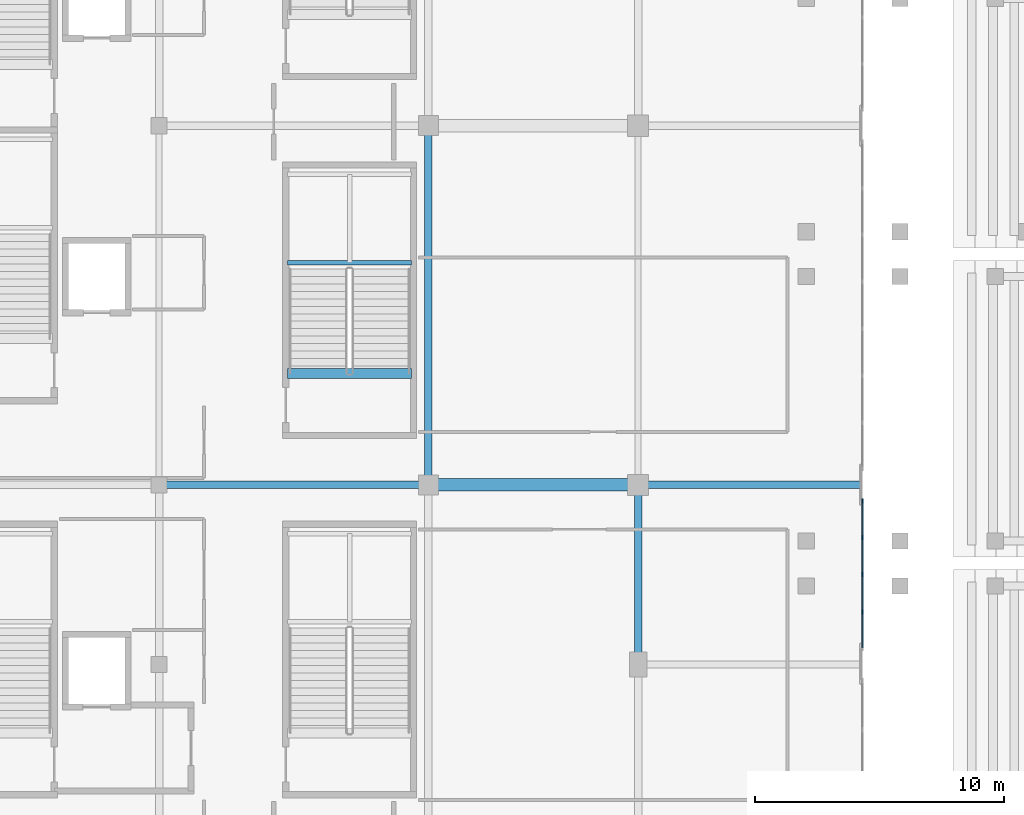
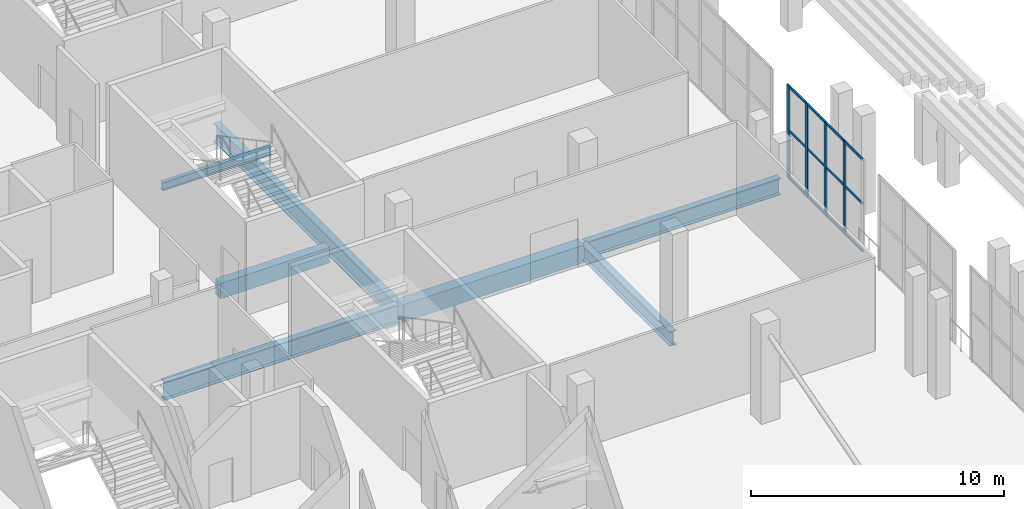
# One storey, part 23 of 142: 16 members, 7 beams, 1 element without a shape of its own.
"""IFC4 building model written with IfcOpenShell, lengths in metres."""

import ifcopenshell
import ifcopenshell.guid

model = None  # the IFC model being written
_history = None  # IfcOwnerHistory: only IFC2X3 demands one
_inside = {}  # id of a spatial element -> (the spatial element, [elements in it])
_under = {}  # id of a project, library or spatial element -> (it, [spatial elements below it])
_declared = {}  # id of a project -> (the project, [libraries it declares])
_typed = {}  # id of a type object -> (the type object, [elements of that type])
_made_of = {}  # id of a material, layer set ... -> (it, [elements and type objects made of it])


def new_model(schema):
    """Start an empty IFC model of exactly this schema.

    Asked for "IFC4X3", IfcOpenShell would pick the latest addendum, in which some entities
    have other attributes; the version numbers below select the first issue.
    IFC2X3 requires an IfcOwnerHistory on every rooted entity: one is made here for all.
    """
    global model, _history
    if schema == "IFC4X3":
        model = ifcopenshell.file(schema_version=(4, 3, 0, 0))
    else:
        model = ifcopenshell.file(schema=schema)
    _inside.clear()
    _under.clear()
    _declared.clear()
    _typed.clear()
    _made_of.clear()
    _history = None
    if model.schema == "IFC2X3":
        org = make("IfcOrganization", Name="unknown")
        user = make(
            "IfcPersonAndOrganization",
            ThePerson=make("IfcPerson", FamilyName="unknown"),
            TheOrganization=org,
        )
        app = make(
            "IfcApplication",
            ApplicationDeveloper=org,
            Version="unknown",
            ApplicationFullName="unknown",
            ApplicationIdentifier="unknown",
        )
        _history = make(
            "IfcOwnerHistory",
            OwningUser=user,
            OwningApplication=app,
            ChangeAction="ADDED",
            CreationDate=0,
        )
    return model


def make(cls, **values):
    """One entity of the class cls with the attributes given. An attribute that is None is left unset."""
    return model.create_entity(
        cls, **{name: value for name, value in values.items() if value is not None}
    )


def rooted(cls, **values):
    """An entity with a GlobalId (a new one), such as an element, a storey or a relation."""
    return make(cls, GlobalId=ifcopenshell.guid.new(), OwnerHistory=_history, **values)


def si_unit(unit_type, name, prefix=None):
    """IfcSIUnit, for example si_unit("LENGTHUNIT", "METRE", prefix="MILLI")."""
    return make("IfcSIUnit", UnitType=unit_type, Prefix=prefix, Name=name)


def assignment(units):
    """IfcUnitAssignment: the units of a project."""
    return None if units is None else make("IfcUnitAssignment", Units=units)


def point(xyz):
    """IfcCartesianPoint."""
    return None if xyz is None else make("IfcCartesianPoint", Coordinates=xyz)


def direction(xyz):
    """IfcDirection."""
    return None if xyz is None else make("IfcDirection", DirectionRatios=xyz)


def frame(location, z_axis=None, x_axis=None):
    """IfcAxis2Placement3D, a coordinate frame: its origin and axes. An axis left out is left unset."""
    return make(
        "IfcAxis2Placement3D",
        Location=point(location),
        Axis=direction(z_axis),
        RefDirection=direction(x_axis),
    )


def frame_2d(location, x_axis=None):
    """IfcAxis2Placement2D, a coordinate frame in the plane: its origin and x axis."""
    return make(
        "IfcAxis2Placement2D", Location=point(location), RefDirection=direction(x_axis)
    )


def origin():
    """The frame at (0, 0, 0) with its axes left unset."""
    return frame((0.0, 0.0, 0.0))


def origin_2d():
    """The frame at (0, 0) in the plane with its x axis left unset."""
    return frame_2d((0.0, 0.0))


def place(relative_to, where):
    """IfcLocalPlacement: puts the frame where relative to a parent placement (None: the world)."""
    return make(
        "IfcLocalPlacement", PlacementRelTo=relative_to, RelativePlacement=where
    )


def context(
    kind, dimensions, precision=None, world=None, true_north=None, identifier=None
):
    """IfcGeometricRepresentationContext, for example the 3D "Model" context."""
    return make(
        "IfcGeometricRepresentationContext",
        ContextIdentifier=identifier,
        ContextType=kind,
        CoordinateSpaceDimension=dimensions,
        Precision=precision,
        WorldCoordinateSystem=world,
        TrueNorth=true_north,
    )


def subcontext(parent, identifier, kind, view, scale=None):
    """IfcGeometricRepresentationSubContext, for example "Body" below "Model"."""
    return make(
        "IfcGeometricRepresentationSubContext",
        ContextIdentifier=identifier,
        ContextType=kind,
        ParentContext=parent,
        TargetScale=scale,
        TargetView=view,
    )


def project(units=None, contexts=None):
    """IfcProject with its units and contexts."""
    return rooted(
        "IfcProject",
        Name="project",
        RepresentationContexts=contexts,
        UnitsInContext=assignment(units),
    )


def spatial(cls, under=None, at=None, **own):
    """A site, building, storey or space (cls), placed at a placement, below another one or the project."""
    s = rooted(cls, ObjectPlacement=at, **own)
    if under is not None:
        _under.setdefault(under.id(), (under, []))[1].append(s)
    return s


def profile(cls, at=None, kind="AREA", **sizes):
    """A parametric profile (cls). Its sizes go by their IFC names, for example OverallWidth=200.0."""
    return make(cls, ProfileType=kind, Position=at, **sizes)


def rectangle(**sizes):
    """IfcRectangleProfileDef."""
    return profile("IfcRectangleProfileDef", **sizes)


def i_section(**sizes):
    """IfcIShapeProfileDef."""
    return profile("IfcIShapeProfileDef", **sizes)


def extrude(swept, where, along, depth):
    """IfcExtrudedAreaSolid: the profile swept, set in the frame where, extruded along a direction by depth."""
    return make(
        "IfcExtrudedAreaSolid",
        SweptArea=swept,
        Position=where,
        ExtrudedDirection=direction(along),
        Depth=depth,
    )


def shape(context_of_items, identifier, shape_type, items):
    """IfcShapeRepresentation: the items that make up one representation, for example the "Body"."""
    return make(
        "IfcShapeRepresentation",
        ContextOfItems=context_of_items,
        RepresentationIdentifier=identifier,
        RepresentationType=shape_type,
        Items=items,
    )


def material(Name=None, Category=None):
    """IfcMaterial."""
    return make("IfcMaterial", Name=Name, Category=Category)


def material_profile(
    of_material, cross_section, Name=None, Category=None, Priority=None
):
    """IfcMaterialProfile: a cross section and its material."""
    return make(
        "IfcMaterialProfile",
        Name=Name,
        Material=of_material,
        Profile=cross_section,
        Priority=Priority,
        Category=Category,
    )


def profile_set(profiles, Name=None, composite=None):
    """IfcMaterialProfileSet."""
    return make(
        "IfcMaterialProfileSet",
        Name=Name,
        MaterialProfiles=profiles,
        CompositeProfile=composite,
    )


def made_of(thing, what):
    """Note that an element or type object is made of a material, layer set ...; save() writes the relation."""
    if what is not None:
        _made_of.setdefault(what.id(), (what, []))[1].append(thing)
    return thing


def type_object(cls, material=None, **own):
    """A type object (cls), such as IfcWallType, which elements share."""
    return made_of(rooted(cls, **own), material)


def element(
    cls,
    number,
    at=None,
    inside=None,
    cuts=None,
    type_object=None,
    material=None,
    context=None,
    identifier="Body",
    shape_type=None,
    held_by="IfcProductDefinitionShape",
    body=None,
    shapes=None,
    **own,
):
    """One element of the class cls, such as IfcWall. Its Tag is "e" and its number.

    at: its placement. inside: the storey or other place that contains it. cuts: it is an
    opening in that element (IfcRelVoidsElement). A single representation is given by context,
    identifier, shape_type and body (its items); several are given by shapes. held_by: the class
    of the entity that holds the representations. save() writes the other relations.
    """
    e = rooted(cls, Tag="e%d" % number, ObjectPlacement=at, **own)
    if body is not None:
        shapes = [shape(context, identifier, shape_type, body)]
    if shapes is not None:
        e.Representation = make(held_by, Representations=shapes)
    if inside is not None:
        _inside.setdefault(inside.id(), (inside, []))[1].append(e)
    if cuts is not None:
        rooted(
            "IfcRelVoidsElement", RelatingBuildingElement=cuts, RelatedOpeningElement=e
        )
    if type_object is not None:
        _typed.setdefault(type_object.id(), (type_object, []))[1].append(e)
    return made_of(e, material)


def aggregate(whole, parts):
    """IfcRelAggregates: a whole, such as a stair, and the parts it consists of."""
    return rooted("IfcRelAggregates", RelatingObject=whole, RelatedObjects=parts)


def save(model, path):
    """Write the relations noted so far, then the file.

    IfcRelAggregates (storeys below a building ...), IfcRelContainedInSpatialStructure (elements
    in a storey), IfcRelDefinesByType, IfcRelAssociatesMaterial and IfcRelDeclares: one each for
    every whole, place, type object, material and project.
    """
    for whole, parts in _under.values():
        aggregate(whole, parts)
    for where, things in _inside.values():
        rooted(
            "IfcRelContainedInSpatialStructure",
            RelatedElements=things,
            RelatingStructure=where,
        )
    for kind, things in _typed.values():
        rooted("IfcRelDefinesByType", RelatedObjects=things, RelatingType=kind)
    for what, things in _made_of.values():
        rooted("IfcRelAssociatesMaterial", RelatedObjects=things, RelatingMaterial=what)
    for by, libraries in _declared.values():
        rooted("IfcRelDeclares", RelatingContext=by, RelatedDefinitions=libraries)
    model.write(path)


model = new_model("IFC4")

# Units and contexts
model_context = context("Model", 3, precision=1e-05, world=origin(), true_north=direction((0.0, 1.0)))
body_context = subcontext(model_context, "Body", "Model", "MODEL_VIEW")
ifc_project = project(units=[si_unit("LENGTHUNIT", "METRE"), si_unit("AREAUNIT", "SQUARE_METRE"), si_unit("VOLUMEUNIT", "CUBIC_METRE"), si_unit("PLANEANGLEUNIT", "RADIAN"), si_unit("MASSUNIT", "GRAM", prefix="KILO")], contexts=[model_context])

# Site, building, storey
site_placement = place(None, origin())
site = spatial("IfcSite", under=ifc_project, at=site_placement, CompositionType="ELEMENT")
building_placement = place(site_placement, origin())
building = spatial("IfcBuilding", under=site, at=building_placement, Name="Koshinbarg Plaza Stadium", CompositionType="ELEMENT")
storey_placement = place(building_placement, frame((0.0, 0.0, 10.199951171875)))
storey = spatial("IfcBuildingStorey", under=building, at=storey_placement, Name="L02", CompositionType="ELEMENT", Elevation=10.199951171875)

# Beams
ifc_material_1 = material(Name="Concrete C40/50", Category="concrete")
ifc_material_profile_1 = material_profile(ifc_material_1, rectangle(XDim=0.39990234375, YDim=0.75, at=origin_2d()), Name="RC 400x750")
ifc_profile_set_1 = profile_set([ifc_material_profile_1], Name="Concrete C40/50")
beam_type_1 = type_object("IfcBeamType", Name="BM-RCG-03", PredefinedType="USERDEFINED", material=ifc_profile_set_1)
beam_1_placement = place(storey_placement, frame((40.550048828125, 58.760009765625, -0.375), z_axis=(1.0, 0.0, 0.0), x_axis=(0.0, 1.0, 0.0)))
element("IfcBeam", 1, at=beam_1_placement, inside=storey, type_object=beam_type_1, Name="L02 stair landing header beam VX03", ObjectType="GIRDER", PredefinedType="USERDEFINED", context=body_context, shape_type="SweptSolid", body=[
    extrude(rectangle(XDim=0.39990234375, YDim=0.75, at=origin_2d()), origin(), (0.0, 0.0, 1.0), 4.969970703125),
])
ifc_material_profile_2 = material_profile(ifc_material_1, rectangle(XDim=0.5, YDim=0.85009765625, at=origin_2d()), Name="RC 500x850")
ifc_profile_set_2 = profile_set([ifc_material_profile_2], Name="Concrete C40/50")
beam_type_2 = type_object("IfcBeamType", Name="BM-RCG-05", PredefinedType="USERDEFINED", material=ifc_profile_set_2)
beam_2_placement = place(storey_placement, frame((46.260009765625, 54.300048828125, -0.724853515625), z_axis=(1.0, 0.0, 0.0), x_axis=(0.0, 1.0, 0.0)))
element("IfcBeam", 2, at=beam_2_placement, inside=storey, type_object=beam_type_2, Name="L02 X girder H/7-8", ObjectType="GIRDER", PredefinedType="USERDEFINED", context=body_context, shape_type="SweptSolid", body=[
    extrude(rectangle(XDim=0.5, YDim=0.85009765625, at=origin_2d()), origin(), (0.0, 0.0, 1.0), 8.280029296875),
])
ifc_material_2 = material(Name="Steel S355", Category="steel")
ifc_material_profile_3 = material_profile(ifc_material_2, i_section(OverallWidth=0.179931640625, OverallDepth=0.39990234375, WebThickness=0.008544921875, FlangeThickness=0.013427734375, at=origin_2d()), Name="IPE 400")
ifc_profile_set_3 = profile_set([ifc_material_profile_3], Name="Steel S355")
beam_type_3 = type_object("IfcBeamType", Name="BM-SBM-01", PredefinedType="BEAM", material=ifc_profile_set_3)
beam_3_placement = place(storey_placement, frame((40.550048828125, 63.2099609375, 1.880126953125), z_axis=(1.0, 0.0, 0.0), x_axis=(0.0, 1.0, 0.0)))
element("IfcBeam", 3, at=beam_3_placement, inside=storey, type_object=beam_type_3, Name="L02 Upper Vomitory Stair VX03 landing trimmer beam 1", PredefinedType="BEAM", context=body_context, shape_type="SweptSolid", body=[
    extrude(i_section(OverallWidth=0.179931640625, OverallDepth=0.39990234375, WebThickness=0.008544921875, FlangeThickness=0.013427734375, at=origin_2d()), origin(), (0.0, 0.0, 1.0), 4.969970703125),
])
ifc_material_profile_4 = material_profile(ifc_material_2, i_section(OverallWidth=0.300048828125, OverallDepth=0.699951171875, WebThickness=0.01708984375, FlangeThickness=0.031982421875, at=origin_2d()), Name="HEB 700")
ifc_profile_set_4 = profile_set([ifc_material_profile_4], Name="Steel S355")
beam_type_4 = type_object("IfcBeamType", Name="BM-SGIR-03", PredefinedType="USERDEFINED", material=ifc_profile_set_4)
beam_4_placement = place(storey_placement, frame((54.60009765625, 47.159912109375, -0.64990234375), z_axis=(0.0, 1.0, 0.0), x_axis=(-1.0, 0.0, 0.0)))
element("IfcBeam", 4, at=beam_4_placement, inside=storey, type_object=beam_type_4, Name="L02 Y girder 8/G-H", ObjectType="GIRDER", PredefinedType="USERDEFINED", context=body_context, shape_type="SweptSolid", body=[
    extrude(i_section(OverallWidth=0.300048828125, OverallDepth=0.699951171875, WebThickness=0.01708984375, FlangeThickness=0.031982421875, at=origin_2d()), origin(), (0.0, 0.0, 1.0), 7.080078125),
])
ifc_material_profile_5 = material_profile(ifc_material_2, i_section(OverallWidth=0.300048828125, OverallDepth=0.800048828125, WebThickness=0.017578125, FlangeThickness=0.032958984375, at=origin_2d()), Name="HEB 800")
ifc_profile_set_5 = profile_set([ifc_material_profile_5], Name="Steel S355")
beam_type_5 = type_object("IfcBeamType", Name="BM-SGIR-04", PredefinedType="USERDEFINED", material=ifc_profile_set_5)
beam_5_placement = place(storey_placement, frame((54.659912109375, 54.300048828125, -0.699951171875), z_axis=(1.0, 0.0, 0.0), x_axis=(0.0, 1.0, 0.0)))
element("IfcBeam", 5, at=beam_5_placement, inside=storey, type_object=beam_type_5, Name="L02 X girder H/8-9", ObjectType="GIRDER", PredefinedType="USERDEFINED", context=body_context, shape_type="SweptSolid", body=[
    extrude(i_section(OverallWidth=0.300048828125, OverallDepth=0.800048828125, WebThickness=0.017578125, FlangeThickness=0.032958984375, at=origin_2d()), origin(), (0.0, 0.0, 1.0), 8.880126953125),
])
ifc_material_profile_6 = material_profile(ifc_material_2, i_section(OverallWidth=0.300048828125, OverallDepth=0.89990234375, WebThickness=0.0185546875, FlangeThickness=0.034912109375, at=origin_2d()), Name="HEB 900")
ifc_profile_set_6 = profile_set([ifc_material_profile_6], Name="Steel S355")
beam_type_6 = type_object("IfcBeamType", Name="BM-SGIR-05", PredefinedType="USERDEFINED", material=ifc_profile_set_6)
beam_6_placement = place(storey_placement, frame((35.4599609375, 54.300048828125, -0.75), z_axis=(1.0, 0.0, 0.0), x_axis=(0.0, 1.0, 0.0)))
element("IfcBeam", 6, at=beam_6_placement, inside=storey, type_object=beam_type_6, Name="L02 X girder H/6-7", ObjectType="GIRDER", PredefinedType="USERDEFINED", context=body_context, shape_type="SweptSolid", body=[
    extrude(i_section(OverallWidth=0.300048828125, OverallDepth=0.89990234375, WebThickness=0.0185546875, FlangeThickness=0.034912109375, at=origin_2d()), origin(), (0.0, 0.0, 1.0), 10.679931640625),
])
beam_7_placement = place(storey_placement, frame((46.199951171875, 54.360107421875, -0.75), z_axis=(0.0, 1.0, 0.0), x_axis=(-1.0, 0.0, 0.0)))
element("IfcBeam", 7, at=beam_7_placement, inside=storey, type_object=beam_type_6, Name="L02 Y girder 7/H-J", ObjectType="GIRDER", PredefinedType="USERDEFINED", context=body_context, shape_type="SweptSolid", body=[
    extrude(i_section(OverallWidth=0.300048828125, OverallDepth=0.89990234375, WebThickness=0.0185546875, FlangeThickness=0.034912109375, at=origin_2d()), origin(), (0.0, 0.0, 1.0), 14.27978515625),
])

# Curtain wall, members
ifc_material_3 = material(Name="Thermally broken anodised aluminium and low-E double glazing", Category="aluminium")
curtain_wall_type = type_object("IfcCurtainWallType", Name="CW-SYS-15", PredefinedType="NOTDEFINED", material=ifc_material_3)
curtain_wall_placement = place(storey_placement, origin())
curtain_wall = element("IfcCurtainWall", 8, at=curtain_wall_placement, inside=storey, type_object=curtain_wall_type, Name="L02 unitised curtain wall CW-L02-078", PredefinedType="NOTDEFINED")
ifc_material_4 = material(Name="Anodised aluminium mullion", Category="aluminium")
ifc_material_profile_7 = material_profile(ifc_material_4, rectangle(XDim=0.070068359375, YDim=0.179931640625, at=origin_2d()), Name="ALU 70x180")
ifc_profile_set_7 = profile_set([ifc_material_profile_7], Name="Anodised aluminium mullion")
member_type_1 = type_object("IfcMemberType", Name="CW-MUL-03", PredefinedType="MULLION", material=ifc_profile_set_7)
member_1_placement = place(storey_placement, frame((63.60009765625, 53.64990234375, 0.0), z_axis=(0.0, 0.0, 1.0), x_axis=(1.0, 0.0, 0.0)))
member_1 = element("IfcMember", 9, at=member_1_placement, type_object=member_type_1, Name="CW15 mullion 1", PredefinedType="MULLION", context=body_context, shape_type="SweptSolid", body=[
    extrude(rectangle(XDim=0.070068359375, YDim=0.179931640625, at=origin_2d()), origin(), (0.0, 0.0, 1.0), 4.47998046875),
])
member_2_placement = place(storey_placement, frame((63.60009765625, 52.18994140625, 0.0), z_axis=(0.0, 0.0, 1.0), x_axis=(1.0, 0.0, 0.0)))
member_2 = element("IfcMember", 10, at=member_2_placement, type_object=member_type_1, Name="CW15 mullion 2", PredefinedType="MULLION", context=body_context, shape_type="SweptSolid", body=[
    extrude(rectangle(XDim=0.070068359375, YDim=0.179931640625, at=origin_2d()), origin(), (0.0, 0.0, 1.0), 4.47998046875),
])
member_3_placement = place(storey_placement, frame((63.60009765625, 50.699951171875, 0.0), z_axis=(0.0, 0.0, 1.0), x_axis=(1.0, 0.0, 0.0)))
member_3 = element("IfcMember", 11, at=member_3_placement, type_object=member_type_1, Name="CW15 mullion 3", PredefinedType="MULLION", context=body_context, shape_type="SweptSolid", body=[
    extrude(rectangle(XDim=0.070068359375, YDim=0.179931640625, at=origin_2d()), origin(), (0.0, 0.0, 1.0), 4.47998046875),
])
member_4_placement = place(storey_placement, frame((63.60009765625, 49.2099609375, 0.0), z_axis=(0.0, 0.0, 1.0), x_axis=(1.0, 0.0, 0.0)))
member_4 = element("IfcMember", 12, at=member_4_placement, type_object=member_type_1, Name="CW15 mullion 4", PredefinedType="MULLION", context=body_context, shape_type="SweptSolid", body=[
    extrude(rectangle(XDim=0.070068359375, YDim=0.179931640625, at=origin_2d()), origin(), (0.0, 0.0, 1.0), 4.47998046875),
])
ifc_material_5 = material(Name="Anodised aluminium transom", Category="aluminium")
ifc_material_profile_8 = material_profile(ifc_material_5, rectangle(XDim=0.06005859375, YDim=0.110107421875, at=origin_2d()), Name="ALU 60x110")
ifc_profile_set_8 = profile_set([ifc_material_profile_8], Name="Anodised aluminium transom")
member_type_2 = type_object("IfcMemberType", Name="CW-TRN-01", PredefinedType="USERDEFINED", material=ifc_profile_set_8)
member_5_placement = place(storey_placement, frame((63.60009765625, 53.6201171875, 0.030029296875), z_axis=(0.0, -1.0, 0.0), x_axis=(1.0, 0.0, 0.0)))
member_5 = element("IfcMember", 13, at=member_5_placement, type_object=member_type_2, Name="CW15 transom 1.1", ObjectType="TRANSOM", PredefinedType="USERDEFINED", context=body_context, shape_type="SweptSolid", body=[
    extrude(rectangle(XDim=0.06005859375, YDim=0.110107421875, at=origin_2d()), origin(), (0.0, 0.0, 1.0), 1.400146484375),
])
member_6_placement = place(storey_placement, frame((63.60009765625, 53.6201171875, 2.32958984375), z_axis=(0.0, -1.0, 0.0), x_axis=(1.0, 0.0, 0.0)))
member_6 = element("IfcMember", 14, at=member_6_placement, type_object=member_type_2, Name="CW15 transom 1.2", ObjectType="TRANSOM", PredefinedType="USERDEFINED", context=body_context, shape_type="SweptSolid", body=[
    extrude(rectangle(XDim=0.06005859375, YDim=0.110107421875, at=origin_2d()), origin(), (0.0, 0.0, 1.0), 1.400146484375),
])
member_7_placement = place(storey_placement, frame((63.60009765625, 53.6201171875, 4.449951171875), z_axis=(0.0, -1.0, 0.0), x_axis=(1.0, 0.0, 0.0)))
member_7 = element("IfcMember", 15, at=member_7_placement, type_object=member_type_2, Name="CW15 transom 1.3", ObjectType="TRANSOM", PredefinedType="USERDEFINED", context=body_context, shape_type="SweptSolid", body=[
    extrude(rectangle(XDim=0.06005859375, YDim=0.110107421875, at=origin_2d()), origin(), (0.0, 0.0, 1.0), 1.400146484375),
])
member_8_placement = place(storey_placement, frame((63.60009765625, 52.159912109375, 0.030029296875), z_axis=(0.0, -1.0, 0.0), x_axis=(1.0, 0.0, 0.0)))
member_8 = element("IfcMember", 16, at=member_8_placement, type_object=member_type_2, Name="CW15 transom 2.1", ObjectType="TRANSOM", PredefinedType="USERDEFINED", context=body_context, shape_type="SweptSolid", body=[
    extrude(rectangle(XDim=0.06005859375, YDim=0.110107421875, at=origin_2d()), origin(), (0.0, 0.0, 1.0), 1.429931640625),
])
member_9_placement = place(storey_placement, frame((63.60009765625, 52.159912109375, 2.32958984375), z_axis=(0.0, -1.0, 0.0), x_axis=(1.0, 0.0, 0.0)))
member_9 = element("IfcMember", 17, at=member_9_placement, type_object=member_type_2, Name="CW15 transom 2.2", ObjectType="TRANSOM", PredefinedType="USERDEFINED", context=body_context, shape_type="SweptSolid", body=[
    extrude(rectangle(XDim=0.06005859375, YDim=0.110107421875, at=origin_2d()), origin(), (0.0, 0.0, 1.0), 1.429931640625),
])
member_10_placement = place(storey_placement, frame((63.60009765625, 52.159912109375, 4.449951171875), z_axis=(0.0, -1.0, 0.0), x_axis=(1.0, 0.0, 0.0)))
member_10 = element("IfcMember", 18, at=member_10_placement, type_object=member_type_2, Name="CW15 transom 2.3", ObjectType="TRANSOM", PredefinedType="USERDEFINED", context=body_context, shape_type="SweptSolid", body=[
    extrude(rectangle(XDim=0.06005859375, YDim=0.110107421875, at=origin_2d()), origin(), (0.0, 0.0, 1.0), 1.429931640625),
])
member_11_placement = place(storey_placement, frame((63.60009765625, 50.669921875, 0.030029296875), z_axis=(0.0, -1.0, 0.0), x_axis=(1.0, 0.0, 0.0)))
member_11 = element("IfcMember", 19, at=member_11_placement, type_object=member_type_2, Name="CW15 transom 3.1", ObjectType="TRANSOM", PredefinedType="USERDEFINED", context=body_context, shape_type="SweptSolid", body=[
    extrude(rectangle(XDim=0.06005859375, YDim=0.110107421875, at=origin_2d()), origin(), (0.0, 0.0, 1.0), 1.429931640625),
])
member_12_placement = place(storey_placement, frame((63.60009765625, 50.669921875, 2.32958984375), z_axis=(0.0, -1.0, 0.0), x_axis=(1.0, 0.0, 0.0)))
member_12 = element("IfcMember", 20, at=member_12_placement, type_object=member_type_2, Name="CW15 transom 3.2", ObjectType="TRANSOM", PredefinedType="USERDEFINED", context=body_context, shape_type="SweptSolid", body=[
    extrude(rectangle(XDim=0.06005859375, YDim=0.110107421875, at=origin_2d()), origin(), (0.0, 0.0, 1.0), 1.429931640625),
])
member_13_placement = place(storey_placement, frame((63.60009765625, 50.669921875, 4.449951171875), z_axis=(0.0, -1.0, 0.0), x_axis=(1.0, 0.0, 0.0)))
member_13 = element("IfcMember", 21, at=member_13_placement, type_object=member_type_2, Name="CW15 transom 3.3", ObjectType="TRANSOM", PredefinedType="USERDEFINED", context=body_context, shape_type="SweptSolid", body=[
    extrude(rectangle(XDim=0.06005859375, YDim=0.110107421875, at=origin_2d()), origin(), (0.0, 0.0, 1.0), 1.429931640625),
])
member_14_placement = place(storey_placement, frame((63.60009765625, 49.179931640625, 0.030029296875), z_axis=(0.0, -1.0, 0.0), x_axis=(1.0, 0.0, 0.0)))
member_14 = element("IfcMember", 22, at=member_14_placement, type_object=member_type_2, Name="CW15 transom 4.1", ObjectType="TRANSOM", PredefinedType="USERDEFINED", context=body_context, shape_type="SweptSolid", body=[
    extrude(rectangle(XDim=0.06005859375, YDim=0.110107421875, at=origin_2d()), origin(), (0.0, 0.0, 1.0), 1.39990234375),
])
member_15_placement = place(storey_placement, frame((63.60009765625, 49.179931640625, 2.32958984375), z_axis=(0.0, -1.0, 0.0), x_axis=(1.0, 0.0, 0.0)))
member_15 = element("IfcMember", 23, at=member_15_placement, type_object=member_type_2, Name="CW15 transom 4.2", ObjectType="TRANSOM", PredefinedType="USERDEFINED", context=body_context, shape_type="SweptSolid", body=[
    extrude(rectangle(XDim=0.06005859375, YDim=0.110107421875, at=origin_2d()), origin(), (0.0, 0.0, 1.0), 1.39990234375),
])
member_16_placement = place(storey_placement, frame((63.60009765625, 49.179931640625, 4.449951171875), z_axis=(0.0, -1.0, 0.0), x_axis=(1.0, 0.0, 0.0)))
member_16 = element("IfcMember", 24, at=member_16_placement, type_object=member_type_2, Name="CW15 transom 4.3", ObjectType="TRANSOM", PredefinedType="USERDEFINED", context=body_context, shape_type="SweptSolid", body=[
    extrude(rectangle(XDim=0.06005859375, YDim=0.110107421875, at=origin_2d()), origin(), (0.0, 0.0, 1.0), 1.39990234375),
])
aggregate(curtain_wall, [member_1, member_2, member_3, member_4, member_5, member_6, member_7, member_8, member_9, member_10, member_11, member_12, member_13, member_14, member_15, member_16])

save(model, "model.ifc")
